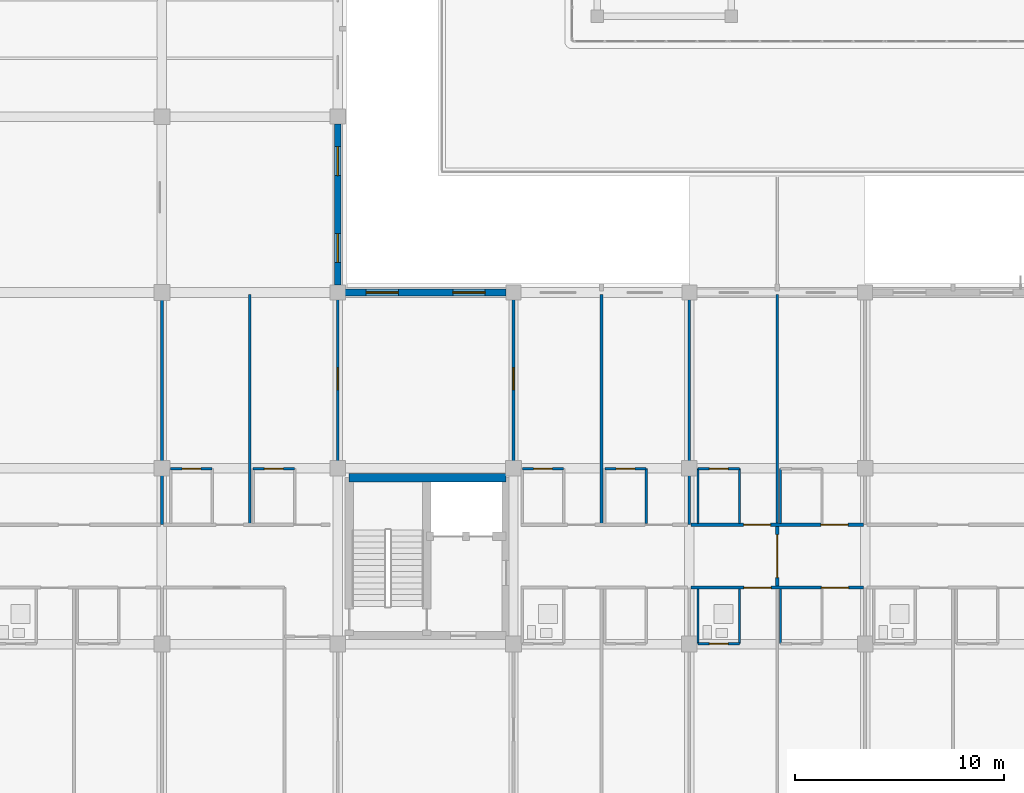
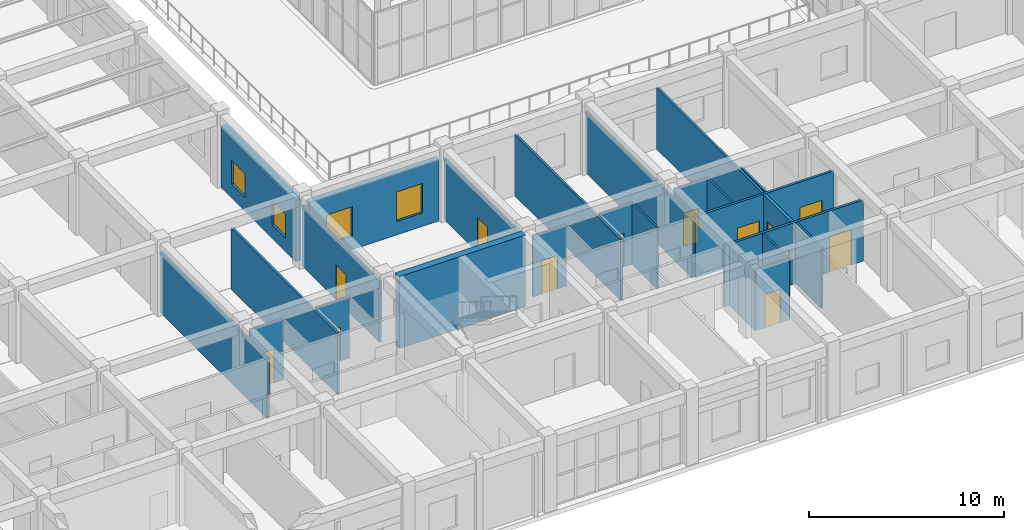
# One storey, part 117 of 158: 26 walls, 13 doors, 4 windows, 17 openings.
"""IFC4 building model written with IfcOpenShell, lengths in metres."""

from ifc_helpers import new_model, si_unit, direction, frame, frame_2d, origin, place, context, subcontext, project, spatial, rectangle, extrude, material, layer, layer_set, type_object, element, fill, save


model = new_model("IFC4")

# Units and contexts
model_context = context("Model", 3, precision=1e-05, world=origin(), true_north=direction((0.0, 1.0)))
body_context = subcontext(model_context, "Body", "Model", "MODEL_VIEW")
ifc_project = project(units=[si_unit("LENGTHUNIT", "METRE"), si_unit("AREAUNIT", "SQUARE_METRE"), si_unit("VOLUMEUNIT", "CUBIC_METRE"), si_unit("PLANEANGLEUNIT", "RADIAN"), si_unit("MASSUNIT", "GRAM", prefix="KILO")], contexts=[model_context])

# Site, building, storey
site_placement = place(None, origin())
site = spatial("IfcSite", under=ifc_project, at=site_placement, CompositionType="ELEMENT")
building_placement = place(site_placement, origin())
building = spatial("IfcBuilding", under=site, at=building_placement, Name="Trelvath General Hospital", CompositionType="ELEMENT")
storey_placement = place(building_placement, frame((0.0, 0.0, 8.10009765625)))
storey = spatial("IfcBuildingStorey", under=building, at=storey_placement, Name="L02", CompositionType="ELEMENT", Elevation=8.10009765625)

# Wall, openings, doors
ifc_material_1 = material(Name="Gypsum acoustic steel-stud partition", Category="steel")
ifc_layer_1 = layer(ifc_material_1, 0.14990234375)
ifc_layer_set_1 = layer_set([ifc_layer_1], Name="Gypsum acoustic steel-stud partition")
wall_type_1 = type_object("IfcWallType", Name="ClinicalPartition 150", PredefinedType="PARTITIONING", material=ifc_layer_set_1)
wall_1_placement = place(storey_placement, frame((58.8798828125, 11.10009765625, 0.0), z_axis=(0.0, 0.0, 1.0), x_axis=(1.0, 0.0, 0.0)))
wall_1 = element("IfcWall", 1, at=wall_1_placement, inside=storey, type_object=wall_type_1, Name="Corridor Partition L02-738", PredefinedType="PARTITIONING", context=body_context, shape_type="SweptSolid", body=[
    extrude(rectangle(XDim=8.240234375, YDim=0.14990234375, at=frame_2d((4.1201171875, 0.0))), origin(), (0.0, 0.0, 1.0), 3.83984375),
])
opening_1_placement = place(wall_1_placement, frame((2.530029296875, 0.0, 0.0)))
opening_1 = element("IfcOpeningElement", 2, at=opening_1_placement, cuts=wall_1, Name="Opening D-2-0657", PredefinedType="OPENING", context=body_context, shape_type="SweptSolid", body=[
    extrude(rectangle(XDim=1.300048828125, YDim=2.25, at=frame_2d((0.64990234375, 1.125))), frame((0.0, 0.0849609375, 0.0), z_axis=(0.0, -1.0, 0.0), x_axis=(1.0, 0.0, 0.0)), (0.0, 0.0, 1.0), 0.169921875),
])
opening_2_placement = place(wall_1_placement, frame((6.22998046875, 0.0, 0.0)))
opening_2 = element("IfcOpeningElement", 3, at=opening_2_placement, cuts=wall_1, Name="Opening D-2-0658", PredefinedType="OPENING", context=body_context, shape_type="SweptSolid", body=[
    extrude(rectangle(XDim=1.300048828125, YDim=2.25, at=frame_2d((0.64990234375, 1.125))), frame((0.0, 0.0849609375, 0.0), z_axis=(0.0, -1.0, 0.0), x_axis=(1.0, 0.0, 0.0)), (0.0, 0.0, 1.0), 0.169921875),
])
ifc_material_2 = material(Name="Hospital bed-leaf timber door", Category="wood")
door_type_1 = type_object("IfcDoorType", Name="Door PatientBed 1300x2250", OperationType="NOTDEFINED", PredefinedType="DOOR", material=ifc_material_2)
door_1_placement = place(opening_1_placement, origin())
door_1 = element("IfcDoor", 4, at=door_1_placement, inside=storey, type_object=door_type_1, Name="Patient Room Door L02-657", OperationType="SINGLE_SWING_LEFT", OverallHeight=2.25, OverallWidth=1.300048828125, PredefinedType="DOOR", context=body_context, shape_type="SweptSolid", body=[
    extrude(rectangle(XDim=1.300048828125, YDim=2.25, at=frame_2d((0.64990234375, 1.125))), frame((0.0, 0.02490234375, 0.0), z_axis=(0.0, -1.0, 0.0), x_axis=(1.0, 0.0, 0.0)), (0.0, 0.0, 1.0), 0.050048828125),
])
fill(opening_1, door_1)
door_2_placement = place(opening_2_placement, origin())
door_2 = element("IfcDoor", 5, at=door_2_placement, inside=storey, type_object=door_type_1, Name="Patient Room Door L02-658", OperationType="SINGLE_SWING_RIGHT", OverallHeight=2.25, OverallWidth=1.300048828125, PredefinedType="DOOR", context=body_context, shape_type="SweptSolid", body=[
    extrude(rectangle(XDim=1.300048828125, YDim=2.25, at=frame_2d((0.64990234375, 1.125))), frame((0.0, 0.02490234375, 0.0), z_axis=(0.0, -1.0, 0.0), x_axis=(1.0, 0.0, 0.0)), (0.0, 0.0, 1.0), 0.050048828125),
])
fill(opening_2, door_2)

wall_2_placement = place(storey_placement, frame((67.1201171875, 14.10009765625, 0.0), z_axis=(0.0, 0.0, 1.0), x_axis=(-1.0, 0.0, 0.0)))
wall_2 = element("IfcWall", 6, at=wall_2_placement, inside=storey, type_object=wall_type_1, Name="Corridor Partition N L02-746", PredefinedType="PARTITIONING", context=body_context, shape_type="SweptSolid", body=[
    extrude(rectangle(XDim=8.240234375, YDim=0.14990234375, at=frame_2d((4.1201171875, 0.0))), origin(), (0.0, 0.0, 1.0), 3.83984375),
])
opening_3_placement = place(wall_2_placement, frame((0.72998046875, 0.0, 0.0)))
opening_3 = element("IfcOpeningElement", 7, at=opening_3_placement, cuts=wall_2, Name="Opening D-2-0661", PredefinedType="OPENING", context=body_context, shape_type="SweptSolid", body=[
    extrude(rectangle(XDim=1.300048828125, YDim=2.25, at=frame_2d((0.64990234375, 1.125))), frame((0.0, 0.0849609375, 0.0), z_axis=(0.0, -1.0, 0.0), x_axis=(1.0, 0.0, 0.0)), (0.0, 0.0, 1.0), 0.169921875),
])
opening_4_placement = place(wall_2_placement, frame((4.429931640625, 0.0, 0.0)))
opening_4 = element("IfcOpeningElement", 8, at=opening_4_placement, cuts=wall_2, Name="Opening D-2-0662", PredefinedType="OPENING", context=body_context, shape_type="SweptSolid", body=[
    extrude(rectangle(XDim=1.300048828125, YDim=2.25, at=frame_2d((0.64990234375, 1.125))), frame((0.0, 0.0849609375, 0.0), z_axis=(0.0, -1.0, 0.0), x_axis=(1.0, 0.0, 0.0)), (0.0, 0.0, 1.0), 0.169921875),
])
door_3_placement = place(opening_3_placement, origin())
door_3 = element("IfcDoor", 9, at=door_3_placement, inside=storey, type_object=door_type_1, Name="Patient Room Door N L02-661", OperationType="SINGLE_SWING_LEFT", OverallHeight=2.25, OverallWidth=1.300048828125, PredefinedType="DOOR", context=body_context, shape_type="SweptSolid", body=[
    extrude(rectangle(XDim=1.300048828125, YDim=2.25, at=frame_2d((0.64990234375, 1.125))), frame((0.0, 0.02490234375, 0.0), z_axis=(0.0, -1.0, 0.0), x_axis=(1.0, 0.0, 0.0)), (0.0, 0.0, 1.0), 0.050048828125),
])
fill(opening_3, door_3)
door_4_placement = place(opening_4_placement, origin())
door_4 = element("IfcDoor", 10, at=door_4_placement, inside=storey, type_object=door_type_1, Name="Patient Room Door N L02-662", OperationType="SINGLE_SWING_LEFT", OverallHeight=2.25, OverallWidth=1.300048828125, PredefinedType="DOOR", context=body_context, shape_type="SweptSolid", body=[
    extrude(rectangle(XDim=1.300048828125, YDim=2.25, at=frame_2d((0.64990234375, 1.125))), frame((0.0, 0.02490234375, 0.0), z_axis=(0.0, -1.0, 0.0), x_axis=(1.0, 0.0, 0.0)), (0.0, 0.0, 1.0), 0.050048828125),
])
fill(opening_4, door_4)

# Wall
ifc_material_3 = material(Name="Concrete C40/50", Category="concrete")
ifc_layer_2 = layer(ifc_material_3, 0.39990234375)
ifc_layer_set_2 = layer_set([ifc_layer_2], Name="Concrete C40/50")
wall_type_2 = type_object("IfcWallType", Name="CoreShearWall 400", PredefinedType="SHEAR", material=ifc_layer_set_2)
wall_3_placement = place(storey_placement, frame((42.550048828125, 16.35009765625, 0.0), z_axis=(0.0, 0.0, 1.0), x_axis=(1.0, 0.0, 0.0)))
element("IfcWall", 11, at=wall_3_placement, inside=storey, type_object=wall_type_2, Name="Core Shear Wall C4 N L02", PredefinedType="SHEAR", context=body_context, shape_type="SweptSolid", body=[
    extrude(rectangle(XDim=7.5, YDim=0.39990234375, at=frame_2d((3.75, 0.0))), origin(), (0.0, 0.0, 1.0), 4.52001953125),
])

# Wall, opening, door
ifc_material_4 = material(Name="Moisture-resistant tile partition")
ifc_layer_3 = layer(ifc_material_4, 0.110107421875)
ifc_layer_set_3 = layer_set([ifc_layer_3], Name="Moisture-resistant tile partition")
wall_type_3 = type_object("IfcWallType", Name="EnSuiteWetWall 110", PredefinedType="PARTITIONING", material=ifc_layer_set_3)
wall_4_placement = place(storey_placement, frame((34.02001953125, 16.780029296875, 0.0), z_axis=(0.0, 0.0, 1.0), x_axis=(1.0, 0.0, 0.0)))
wall_4 = element("IfcWall", 12, at=wall_4_placement, inside=storey, type_object=wall_type_3, Name="En-Suite Bathroom N Partition L02-711", PredefinedType="PARTITIONING", context=body_context, shape_type="SweptSolid", body=[
    extrude(rectangle(XDim=1.97998046875, YDim=0.110107421875, at=frame_2d((0.989990234375, 0.0))), origin(), (0.0, 0.0, 1.0), 3.83984375),
])
opening_5_placement = place(wall_4_placement, frame((0.5400390625, 0.0, 0.0)))
opening_5 = element("IfcOpeningElement", 13, at=opening_5_placement, cuts=wall_4, Name="Opening D-2-0643", PredefinedType="OPENING", context=body_context, shape_type="SweptSolid", body=[
    extrude(rectangle(XDim=0.89990234375, YDim=2.10009765625, at=frame_2d((0.449951171875, 1.050048828125))), frame((0.0, 0.06494140625, 0.0), z_axis=(0.0, -1.0, 0.0), x_axis=(1.0, 0.0, 0.0)), (0.0, 0.0, 1.0), 0.130126953125),
])
ifc_material_5 = material(Name="Moisture-sealed timber leaf", Category="wood")
door_type_2 = type_object("IfcDoorType", Name="Door EnSuite 900x2100", OperationType="NOTDEFINED", PredefinedType="DOOR", material=ifc_material_5)
door_5_placement = place(opening_5_placement, origin())
door_5 = element("IfcDoor", 14, at=door_5_placement, inside=storey, type_object=door_type_2, Name="En-Suite Bathroom N Door L02-643", OperationType="SINGLE_SWING_RIGHT", OverallHeight=2.10009765625, OverallWidth=0.89990234375, PredefinedType="DOOR", context=body_context, shape_type="SweptSolid", body=[
    extrude(rectangle(XDim=0.89990234375, YDim=2.10009765625, at=frame_2d((0.449951171875, 1.050048828125))), frame((0.0, 0.02490234375, 0.0), z_axis=(0.0, -1.0, 0.0), x_axis=(1.0, 0.0, 0.0)), (0.0, 0.0, 1.0), 0.050048828125),
])
fill(opening_5, door_5)

wall_5_placement = place(storey_placement, frame((37.9599609375, 16.780029296875, 0.0), z_axis=(0.0, 0.0, 1.0), x_axis=(1.0, 0.0, 0.0)))
wall_5 = element("IfcWall", 15, at=wall_5_placement, inside=storey, type_object=wall_type_3, Name="En-Suite Bathroom N Partition L02-714", PredefinedType="PARTITIONING", context=body_context, shape_type="SweptSolid", body=[
    extrude(rectangle(XDim=1.97998046875, YDim=0.110107421875, at=frame_2d((0.989990234375, 0.0))), origin(), (0.0, 0.0, 1.0), 3.83984375),
])
opening_6_placement = place(wall_5_placement, frame((0.5400390625, 0.0, 0.0)))
opening_6 = element("IfcOpeningElement", 16, at=opening_6_placement, cuts=wall_5, Name="Opening D-2-0644", PredefinedType="OPENING", context=body_context, shape_type="SweptSolid", body=[
    extrude(rectangle(XDim=0.89990234375, YDim=2.10009765625, at=frame_2d((0.449951171875, 1.050048828125))), frame((0.0, 0.06494140625, 0.0), z_axis=(0.0, -1.0, 0.0), x_axis=(1.0, 0.0, 0.0)), (0.0, 0.0, 1.0), 0.130126953125),
])
door_6_placement = place(opening_6_placement, origin())
door_6 = element("IfcDoor", 17, at=door_6_placement, inside=storey, type_object=door_type_2, Name="En-Suite Bathroom N Door L02-644", OperationType="SINGLE_SWING_LEFT", OverallHeight=2.10009765625, OverallWidth=0.89990234375, PredefinedType="DOOR", context=body_context, shape_type="SweptSolid", body=[
    extrude(rectangle(XDim=0.89990234375, YDim=2.10009765625, at=frame_2d((0.449951171875, 1.050048828125))), frame((0.0, 0.02490234375, 0.0), z_axis=(0.0, -1.0, 0.0), x_axis=(1.0, 0.0, 0.0)), (0.0, 0.0, 1.0), 0.050048828125),
])
fill(opening_6, door_6)

wall_6_placement = place(storey_placement, frame((50.820068359375, 16.780029296875, 0.0), z_axis=(0.0, 0.0, 1.0), x_axis=(1.0, 0.0, 0.0)))
wall_6 = element("IfcWall", 18, at=wall_6_placement, inside=storey, type_object=wall_type_3, Name="En-Suite Bathroom N Partition L02-732", PredefinedType="PARTITIONING", context=body_context, shape_type="SweptSolid", body=[
    extrude(rectangle(XDim=1.97998046875, YDim=0.110107421875, at=frame_2d((0.989990234375, 0.0))), origin(), (0.0, 0.0, 1.0), 3.83984375),
])
opening_7_placement = place(wall_6_placement, frame((0.5400390625, 0.0, 0.0)))
opening_7 = element("IfcOpeningElement", 19, at=opening_7_placement, cuts=wall_6, Name="Opening D-2-0655", PredefinedType="OPENING", context=body_context, shape_type="SweptSolid", body=[
    extrude(rectangle(XDim=0.89990234375, YDim=2.10009765625, at=frame_2d((0.449951171875, 1.050048828125))), frame((0.0, 0.06494140625, 0.0), z_axis=(0.0, -1.0, 0.0), x_axis=(1.0, 0.0, 0.0)), (0.0, 0.0, 1.0), 0.130126953125),
])
door_7_placement = place(opening_7_placement, origin())
door_7 = element("IfcDoor", 20, at=door_7_placement, inside=storey, type_object=door_type_2, Name="En-Suite Bathroom N Door L02-655", OperationType="SINGLE_SWING_LEFT", OverallHeight=2.10009765625, OverallWidth=0.89990234375, PredefinedType="DOOR", context=body_context, shape_type="SweptSolid", body=[
    extrude(rectangle(XDim=0.89990234375, YDim=2.10009765625, at=frame_2d((0.449951171875, 1.050048828125))), frame((0.0, 0.02490234375, 0.0), z_axis=(0.0, -1.0, 0.0), x_axis=(1.0, 0.0, 0.0)), (0.0, 0.0, 1.0), 0.050048828125),
])
fill(opening_7, door_7)

# Wall
wall_7_placement = place(storey_placement, frame((56.739990234375, 14.169921875, 0.0), z_axis=(0.0, 0.0, 1.0), x_axis=(0.0, 1.0, 0.0)))
element("IfcWall", 21, at=wall_7_placement, inside=storey, type_object=wall_type_3, Name="En-Suite E Wall N L02-734", PredefinedType="PARTITIONING", context=body_context, shape_type="SweptSolid", body=[
    extrude(rectangle(XDim=2.610107421875, YDim=0.110107421875, at=frame_2d((1.30517578125, 0.0))), origin(), (0.0, 0.0, 1.0), 3.83984375),
])

# Wall, opening, door
wall_8_placement = place(storey_placement, frame((54.760009765625, 16.780029296875, 0.0), z_axis=(0.0, 0.0, 1.0), x_axis=(1.0, 0.0, 0.0)))
wall_8 = element("IfcWall", 22, at=wall_8_placement, inside=storey, type_object=wall_type_3, Name="En-Suite Bathroom N Partition L02-735", PredefinedType="PARTITIONING", context=body_context, shape_type="SweptSolid", body=[
    extrude(rectangle(XDim=1.97998046875, YDim=0.110107421875, at=frame_2d((0.989990234375, 0.0))), origin(), (0.0, 0.0, 1.0), 3.83984375),
])
opening_8_placement = place(wall_8_placement, frame((0.5400390625, 0.0, 0.0)))
opening_8 = element("IfcOpeningElement", 23, at=opening_8_placement, cuts=wall_8, Name="Opening D-2-0656", PredefinedType="OPENING", context=body_context, shape_type="SweptSolid", body=[
    extrude(rectangle(XDim=0.89990234375, YDim=2.10009765625, at=frame_2d((0.449951171875, 1.050048828125))), frame((0.0, 0.06494140625, 0.0), z_axis=(0.0, -1.0, 0.0), x_axis=(1.0, 0.0, 0.0)), (0.0, 0.0, 1.0), 0.130126953125),
])
door_8_placement = place(opening_8_placement, origin())
door_8 = element("IfcDoor", 24, at=door_8_placement, inside=storey, type_object=door_type_2, Name="En-Suite Bathroom N Door L02-656", OperationType="SINGLE_SWING_RIGHT", OverallHeight=2.10009765625, OverallWidth=0.89990234375, PredefinedType="DOOR", context=body_context, shape_type="SweptSolid", body=[
    extrude(rectangle(XDim=0.89990234375, YDim=2.10009765625, at=frame_2d((0.449951171875, 1.050048828125))), frame((0.0, 0.02490234375, 0.0), z_axis=(0.0, -1.0, 0.0), x_axis=(1.0, 0.0, 0.0)), (0.0, 0.0, 1.0), 0.050048828125),
])
fill(opening_8, door_8)

# Walls
for number, where, z_axis, x_axis, name in (
    (25, (59.219970703125, 8.419921875, 0.0), (0.0, 0.0, 1.0), (0.0, 1.0, 0.0), "En-Suite W Wall L02-740"),
    (26, (61.199951171875, 8.419921875, 0.0), (0.0, 0.0, 1.0), (0.0, 1.0, 0.0), "En-Suite E Wall L02-741"),
):
    element("IfcWall", number, at=place(storey_placement, frame(where, z_axis=z_axis, x_axis=x_axis)), inside=storey, type_object=wall_type_3, Name=name, PredefinedType="PARTITIONING", context=body_context, shape_type="SweptSolid", body=[
        extrude(rectangle(XDim=2.610107421875, YDim=0.110107421875, at=frame_2d((1.30517578125, 0.0))), origin(), (0.0, 0.0, 1.0), 3.83984375),
    ])

# Wall, opening, door
wall_9_placement = place(storey_placement, frame((59.219970703125, 8.419921875, 0.0), z_axis=(0.0, 0.0, 1.0), x_axis=(1.0, 0.0, 0.0)))
wall_9 = element("IfcWall", 27, at=wall_9_placement, inside=storey, type_object=wall_type_3, Name="En-Suite Bathroom Partition L02-742", PredefinedType="PARTITIONING", context=body_context, shape_type="SweptSolid", body=[
    extrude(rectangle(XDim=1.97998046875, YDim=0.110107421875, at=frame_2d((0.989990234375, 0.0))), origin(), (0.0, 0.0, 1.0), 3.83984375),
])
opening_9_placement = place(wall_9_placement, frame((0.5400390625, 0.0, 0.0)))
opening_9 = element("IfcOpeningElement", 28, at=opening_9_placement, cuts=wall_9, Name="Opening D-2-0659", PredefinedType="OPENING", context=body_context, shape_type="SweptSolid", body=[
    extrude(rectangle(XDim=0.89990234375, YDim=2.10009765625, at=frame_2d((0.449951171875, 1.050048828125))), frame((0.0, 0.06494140625, 0.0), z_axis=(0.0, -1.0, 0.0), x_axis=(1.0, 0.0, 0.0)), (0.0, 0.0, 1.0), 0.130126953125),
])
door_9_placement = place(opening_9_placement, origin())
door_9 = element("IfcDoor", 29, at=door_9_placement, inside=storey, type_object=door_type_2, Name="En-Suite Bathroom Door L02-659", OperationType="SINGLE_SWING_LEFT", OverallHeight=2.10009765625, OverallWidth=0.89990234375, PredefinedType="DOOR", context=body_context, shape_type="SweptSolid", body=[
    extrude(rectangle(XDim=0.89990234375, YDim=2.10009765625, at=frame_2d((0.449951171875, 1.050048828125))), frame((0.0, 0.02490234375, 0.0), z_axis=(0.0, -1.0, 0.0), x_axis=(1.0, 0.0, 0.0)), (0.0, 0.0, 1.0), 0.050048828125),
])
fill(opening_9, door_9)

# Walls
for number, where, z_axis, x_axis, name in (
    (30, (63.159912109375, 8.419921875, 0.0), (0.0, 0.0, 1.0), (0.0, 1.0, 0.0), "En-Suite W Wall L02-743"),
    (31, (59.219970703125, 14.169921875, 0.0), (0.0, 0.0, 1.0), (0.0, 1.0, 0.0), "En-Suite W Wall N L02-748"),
    (32, (61.199951171875, 14.169921875, 0.0), (0.0, 0.0, 1.0), (0.0, 1.0, 0.0), "En-Suite E Wall N L02-749"),
):
    element("IfcWall", number, at=place(storey_placement, frame(where, z_axis=z_axis, x_axis=x_axis)), inside=storey, type_object=wall_type_3, Name=name, PredefinedType="PARTITIONING", context=body_context, shape_type="SweptSolid", body=[
        extrude(rectangle(XDim=2.610107421875, YDim=0.110107421875, at=frame_2d((1.30517578125, 0.0))), origin(), (0.0, 0.0, 1.0), 3.83984375),
    ])

# Wall, opening, door
wall_10_placement = place(storey_placement, frame((59.219970703125, 16.780029296875, 0.0), z_axis=(0.0, 0.0, 1.0), x_axis=(1.0, 0.0, 0.0)))
wall_10 = element("IfcWall", 33, at=wall_10_placement, inside=storey, type_object=wall_type_3, Name="En-Suite Bathroom N Partition L02-750", PredefinedType="PARTITIONING", context=body_context, shape_type="SweptSolid", body=[
    extrude(rectangle(XDim=1.97998046875, YDim=0.110107421875, at=frame_2d((0.989990234375, 0.0))), origin(), (0.0, 0.0, 1.0), 3.83984375),
])
opening_10_placement = place(wall_10_placement, frame((0.5400390625, 0.0, 0.0)))
opening_10 = element("IfcOpeningElement", 34, at=opening_10_placement, cuts=wall_10, Name="Opening D-2-0663", PredefinedType="OPENING", context=body_context, shape_type="SweptSolid", body=[
    extrude(rectangle(XDim=0.89990234375, YDim=2.10009765625, at=frame_2d((0.449951171875, 1.050048828125))), frame((0.0, 0.06494140625, 0.0), z_axis=(0.0, -1.0, 0.0), x_axis=(1.0, 0.0, 0.0)), (0.0, 0.0, 1.0), 0.130126953125),
])
door_10_placement = place(opening_10_placement, origin())
door_10 = element("IfcDoor", 35, at=door_10_placement, inside=storey, type_object=door_type_2, Name="En-Suite Bathroom N Door L02-663", OperationType="SINGLE_SWING_RIGHT", OverallHeight=2.10009765625, OverallWidth=0.89990234375, PredefinedType="DOOR", context=body_context, shape_type="SweptSolid", body=[
    extrude(rectangle(XDim=0.89990234375, YDim=2.10009765625, at=frame_2d((0.449951171875, 1.050048828125))), frame((0.0, 0.02490234375, 0.0), z_axis=(0.0, -1.0, 0.0), x_axis=(1.0, 0.0, 0.0)), (0.0, 0.0, 1.0), 0.050048828125),
])
fill(opening_10, door_10)

# Wall
wall_11_placement = place(storey_placement, frame((63.159912109375, 14.169921875, 0.0), z_axis=(0.0, 0.0, 1.0), x_axis=(0.0, 1.0, 0.0)))
element("IfcWall", 36, at=wall_11_placement, inside=storey, type_object=wall_type_3, Name="En-Suite W Wall N L02-751", PredefinedType="PARTITIONING", context=body_context, shape_type="SweptSolid", body=[
    extrude(rectangle(XDim=2.610107421875, YDim=0.110107421875, at=frame_2d((1.30517578125, 0.0))), origin(), (0.0, 0.0, 1.0), 3.83984375),
])

# Wall, openings, windows
ifc_material_6 = material(Name="Concrete C35/45", Category="concrete")
ifc_layer_4 = layer(ifc_material_6, 0.320068359375)
ifc_layer_set_4 = layer_set([ifc_layer_4], Name="Concrete C35/45")
wall_type_4 = type_object("IfcWallType", Name="ExtThermalWall 320", PredefinedType="SOLIDWALL", material=ifc_layer_set_4)
wall_12_placement = place(storey_placement, frame((42.0, 33.2451171875, 0.0), z_axis=(0.0, 0.0, 1.0), x_axis=(0.0, -1.0, 0.0)))
wall_12 = element("IfcWall", 37, at=wall_12_placement, inside=storey, type_object=wall_type_4, Name="Exterior Concrete Wall L02-243", PredefinedType="SOLIDWALL", context=body_context, shape_type="SweptSolid", body=[
    extrude(rectangle(XDim=7.690185546875, YDim=0.320068359375, at=frame_2d((3.84521484375, 0.0))), origin(), (0.0, 0.0, 1.0), 3.85986328125),
])
opening_11_placement = place(wall_12_placement, frame((1.07861328125, 0.0, 0.85009765625)))
opening_11 = element("IfcOpeningElement", 38, at=opening_11_placement, cuts=wall_12, Name="Opening WN-2-383", PredefinedType="OPENING", context=body_context, shape_type="SweptSolid", body=[
    extrude(rectangle(XDim=1.3798828125, YDim=1.5, at=frame_2d((0.68994140625, 0.75))), frame((0.0, 0.169921875, 0.0), z_axis=(0.0, -1.0, 0.0), x_axis=(1.0, 0.0, 0.0)), (0.0, 0.0, 1.0), 0.340087890625),
])
opening_12_placement = place(wall_12_placement, frame((5.231201171875, 0.0, 0.85009765625)))
opening_12 = element("IfcOpeningElement", 39, at=opening_12_placement, cuts=wall_12, Name="Opening WN-2-384", PredefinedType="OPENING", context=body_context, shape_type="SweptSolid", body=[
    extrude(rectangle(XDim=1.3798828125, YDim=1.5, at=frame_2d((0.68994140625, 0.75))), frame((0.0, 0.169921875, 0.0), z_axis=(0.0, -1.0, 0.0), x_axis=(1.0, 0.0, 0.0)), (0.0, 0.0, 1.0), 0.340087890625),
])
ifc_material_7 = material(Name="Low-E laminated glass", Category="glass")
window_type_1 = type_object("IfcWindowType", Name="Window Admin 1380x1500", PartitioningType="SINGLE_PANEL", PredefinedType="WINDOW", material=ifc_material_7)
window_1_placement = place(opening_11_placement, origin())
window_1 = element("IfcWindow", 40, at=window_1_placement, inside=storey, type_object=window_type_1, Name="Solar Reveal Window L02-383", OverallHeight=1.5, OverallWidth=1.3798828125, PartitioningType="SINGLE_PANEL", PredefinedType="WINDOW", context=body_context, shape_type="SweptSolid", body=[
    extrude(rectangle(XDim=1.3798828125, YDim=1.5, at=frame_2d((0.68994140625, 0.75))), frame((0.0, 0.030029296875, 0.0), z_axis=(0.0, -1.0, 0.0), x_axis=(1.0, 0.0, 0.0)), (0.0, 0.0, 1.0), 0.06005859375),
])
fill(opening_11, window_1)
window_2_placement = place(opening_12_placement, origin())
window_2 = element("IfcWindow", 41, at=window_2_placement, inside=storey, type_object=window_type_1, Name="Solar Reveal Window L02-384", OverallHeight=1.5, OverallWidth=1.3798828125, PartitioningType="SINGLE_PANEL", PredefinedType="WINDOW", context=body_context, shape_type="SweptSolid", body=[
    extrude(rectangle(XDim=1.3798828125, YDim=1.5, at=frame_2d((0.68994140625, 0.75))), frame((0.0, 0.030029296875, 0.0), z_axis=(0.0, -1.0, 0.0), x_axis=(1.0, 0.0, 0.0)), (0.0, 0.0, 1.0), 0.06005859375),
])
fill(opening_12, window_2)

wall_13_placement = place(storey_placement, frame((42.35498046875, 25.199951171875, 0.0), z_axis=(0.0, 0.0, 1.0), x_axis=(1.0, 0.0, 0.0)))
wall_13 = element("IfcWall", 42, at=wall_13_placement, inside=storey, type_object=wall_type_4, Name="Exterior Concrete Wall L02-252", PredefinedType="SOLIDWALL", context=body_context, shape_type="SweptSolid", body=[
    extrude(rectangle(XDim=7.68994140625, YDim=0.320068359375, at=frame_2d((3.844970703125, 0.0))), origin(), (0.0, 0.0, 1.0), 3.85986328125),
])
opening_13_placement = place(wall_13_placement, frame((0.998779296875, 0.0, 0.85009765625)))
opening_13 = element("IfcOpeningElement", 43, at=opening_13_placement, cuts=wall_13, Name="Opening WN-2-401", PredefinedType="OPENING", context=body_context, shape_type="SweptSolid", body=[
    extrude(rectangle(XDim=1.5400390625, YDim=1.85009765625, at=frame_2d((0.77001953125, 0.925048828125))), frame((0.0, 0.169921875, 0.0), z_axis=(0.0, -1.0, 0.0), x_axis=(1.0, 0.0, 0.0)), (0.0, 0.0, 1.0), 0.340087890625),
])
opening_14_placement = place(wall_13_placement, frame((5.1513671875, 0.0, 0.85009765625)))
opening_14 = element("IfcOpeningElement", 44, at=opening_14_placement, cuts=wall_13, Name="Opening WN-2-402", PredefinedType="OPENING", context=body_context, shape_type="SweptSolid", body=[
    extrude(rectangle(XDim=1.5400390625, YDim=1.85009765625, at=frame_2d((0.77001953125, 0.925048828125))), frame((0.0, 0.169921875, 0.0), z_axis=(0.0, -1.0, 0.0), x_axis=(1.0, 0.0, 0.0)), (0.0, 0.0, 1.0), 0.340087890625),
])
ifc_material_8 = material(Name="Low-E laminated glass", Category="glass")
window_type_2 = type_object("IfcWindowType", Name="Window Waiting 1540x1850", PartitioningType="DOUBLE_PANEL_VERTICAL", PredefinedType="WINDOW", material=ifc_material_8)
window_3_placement = place(opening_13_placement, origin())
window_3 = element("IfcWindow", 45, at=window_3_placement, inside=storey, type_object=window_type_2, Name="Solar Reveal Window L02-401", OverallHeight=1.85009765625, OverallWidth=1.5400390625, PartitioningType="SINGLE_PANEL", PredefinedType="WINDOW", context=body_context, shape_type="SweptSolid", body=[
    extrude(rectangle(XDim=1.5400390625, YDim=1.85009765625, at=frame_2d((0.77001953125, 0.925048828125))), frame((0.0, 0.030029296875, 0.0), z_axis=(0.0, -1.0, 0.0), x_axis=(1.0, 0.0, 0.0)), (0.0, 0.0, 1.0), 0.06005859375),
])
fill(opening_13, window_3)
window_4_placement = place(opening_14_placement, origin())
window_4 = element("IfcWindow", 46, at=window_4_placement, inside=storey, type_object=window_type_2, Name="Solar Reveal Window L02-402", OverallHeight=1.85009765625, OverallWidth=1.5400390625, PartitioningType="SINGLE_PANEL", PredefinedType="WINDOW", context=body_context, shape_type="SweptSolid", body=[
    extrude(rectangle(XDim=1.5400390625, YDim=1.85009765625, at=frame_2d((0.77001953125, 0.925048828125))), frame((0.0, 0.030029296875, 0.0), z_axis=(0.0, -1.0, 0.0), x_axis=(1.0, 0.0, 0.0)), (0.0, 0.0, 1.0), 0.06005859375),
])
fill(opening_14, window_4)

# Wall, opening, door
ifc_material_9 = material(Name="Masonry fire blockwork", Category="masonry")
ifc_layer_5 = layer(ifc_material_9, 0.179931640625)
ifc_layer_set_5 = layer_set([ifc_layer_5], Name="Masonry fire blockwork")
wall_type_5 = type_object("IfcWallType", Name="SmokeBarrierWall 180", PredefinedType="PARTITIONING", material=ifc_layer_set_5)
wall_14_placement = place(storey_placement, frame((63.0, 11.179931640625, 0.0), z_axis=(0.0, 0.0, 1.0), x_axis=(0.0, 1.0, 0.0)))
wall_14 = element("IfcWall", 47, at=wall_14_placement, inside=storey, type_object=wall_type_5, Name="Smoke Compartment Barrier L02-754", PredefinedType="PARTITIONING", context=body_context, shape_type="SweptSolid", body=[
    extrude(rectangle(XDim=2.840087890625, YDim=0.179931640625, at=frame_2d((1.419921875, 0.0))), origin(), (0.0, 0.0, 1.0), 3.83984375),
])
opening_15_placement = place(wall_14_placement, frame((0.39501953125, 0.0, 0.0)))
opening_15 = element("IfcOpeningElement", 48, at=opening_15_placement, cuts=wall_14, Name="Opening SD-2-0665", PredefinedType="OPENING", context=body_context, shape_type="SweptSolid", body=[
    extrude(rectangle(XDim=2.050048828125, YDim=2.35009765625, at=frame_2d((1.02490234375, 1.175048828125))), frame((0.0, 0.099853515625, 0.0), z_axis=(0.0, -1.0, 0.0), x_axis=(1.0, 0.0, 0.0)), (0.0, 0.0, 1.0), 0.199951171875),
])
ifc_material_10 = material(Name="Fire-rated steel cross-corridor pair", Category="steel")
door_type_3 = type_object("IfcDoorType", Name="Door SmokeCross 2050x2350", OperationType="DOUBLE_SWING_LEFT", PredefinedType="DOOR", material=ifc_material_10)
door_11_placement = place(opening_15_placement, origin())
door_11 = element("IfcDoor", 49, at=door_11_placement, inside=storey, type_object=door_type_3, Name="Cross-Corridor Smoke Door L02-665", OperationType="SLIDING_TO_LEFT", OverallHeight=2.35009765625, OverallWidth=2.050048828125, PredefinedType="DOOR", context=body_context, shape_type="SweptSolid", body=[
    extrude(rectangle(XDim=2.050048828125, YDim=2.35009765625, at=frame_2d((1.02490234375, 1.175048828125))), frame((0.0, 0.02490234375, 0.0), z_axis=(0.0, -1.0, 0.0), x_axis=(1.0, 0.0, 0.0)), (0.0, 0.0, 1.0), 0.050048828125),
])
fill(opening_15, door_11)

# Walls
ifc_material_11 = material(Name="Gypsum acoustic steel-stud partition", Category="steel")
ifc_layer_6 = layer(ifc_material_11, 0.1298828125)
ifc_layer_set_6 = layer_set([ifc_layer_6], Name="Gypsum acoustic steel-stud partition")
wall_type_6 = type_object("IfcWallType", Name="WardPartition 130", PredefinedType="PARTITIONING", material=ifc_layer_set_6)
wall_15_placement = place(storey_placement, frame((33.60009765625, 14.1201171875, 0.0), z_axis=(0.0, 0.0, 1.0), x_axis=(0.0, 1.0, 0.0)))
element("IfcWall", 50, at=wall_15_placement, inside=storey, type_object=wall_type_6, Name="Inter-Bay Ward Partition N L02-703", PredefinedType="PARTITIONING", context=body_context, shape_type="SweptSolid", body=[
    extrude(rectangle(XDim=10.93994140625, YDim=0.1298828125, at=frame_2d((5.469970703125, 0.0))), origin(), (0.0, 0.0, 1.0), 3.83984375),
])
wall_16_placement = place(storey_placement, frame((37.800048828125, 14.169921875, 0.0), z_axis=(0.0, 0.0, 1.0), x_axis=(0.0, 1.0, 0.0)))
element("IfcWall", 51, at=wall_16_placement, inside=storey, type_object=wall_type_6, Name="Room Dividing Partition N L02-708", PredefinedType="PARTITIONING", context=body_context, shape_type="SweptSolid", body=[
    extrude(rectangle(XDim=10.93017578125, YDim=0.1298828125, at=frame_2d((5.465087890625, 0.0))), origin(), (0.0, 0.0, 1.0), 3.83984375),
])

# Wall, opening, door
wall_17_placement = place(storey_placement, frame((42.0, 17.14990234375, 0.0), z_axis=(0.0, 0.0, 1.0), x_axis=(0.0, 1.0, 0.0)))
wall_17 = element("IfcWall", 52, at=wall_17_placement, inside=storey, type_object=wall_type_6, Name="Inter-Bay Ward Partition N L02-716", PredefinedType="PARTITIONING", context=body_context, shape_type="SweptSolid", body=[
    extrude(rectangle(XDim=7.91015625, YDim=0.1298828125, at=frame_2d((3.955078125, 0.0))), origin(), (0.0, 0.0, 1.0), 3.83984375),
])
opening_16_placement = place(wall_17_placement, frame((3.39990234375, 0.0, 0.0)))
opening_16 = element("IfcOpeningElement", 53, at=opening_16_placement, cuts=wall_17, Name="Opening D-2-0646", PredefinedType="OPENING", context=body_context, shape_type="SweptSolid", body=[
    extrude(rectangle(XDim=1.050048828125, YDim=2.199951171875, at=frame_2d((0.52490234375, 1.10009765625))), frame((0.0, 0.074951171875, 0.0), z_axis=(0.0, -1.0, 0.0), x_axis=(1.0, 0.0, 0.0)), (0.0, 0.0, 1.0), 0.14990234375),
])
ifc_material_12 = material(Name="Acoustic hospital timber leaf", Category="wood")
door_type_4 = type_object("IfcDoorType", Name="Door Consult 1050x2200", OperationType="NOTDEFINED", PredefinedType="DOOR", material=ifc_material_12)
door_12_placement = place(opening_16_placement, origin())
door_12 = element("IfcDoor", 54, at=door_12_placement, inside=storey, type_object=door_type_4, Name="Consultation Connecting Door L02-646", OperationType="SINGLE_SWING_LEFT", OverallHeight=2.199951171875, OverallWidth=1.050048828125, PredefinedType="DOOR", context=body_context, shape_type="SweptSolid", body=[
    extrude(rectangle(XDim=1.050048828125, YDim=2.199951171875, at=frame_2d((0.52490234375, 1.10009765625))), frame((0.0, 0.02490234375, 0.0), z_axis=(0.0, -1.0, 0.0), x_axis=(1.0, 0.0, 0.0)), (0.0, 0.0, 1.0), 0.050048828125),
])
fill(opening_16, door_12)

wall_18_placement = place(storey_placement, frame((50.39990234375, 17.14990234375, 0.0), z_axis=(0.0, 0.0, 1.0), x_axis=(0.0, 1.0, 0.0)))
wall_18 = element("IfcWall", 55, at=wall_18_placement, inside=storey, type_object=wall_type_6, Name="Inter-Bay Ward Partition N L02-718", PredefinedType="PARTITIONING", context=body_context, shape_type="SweptSolid", body=[
    extrude(rectangle(XDim=7.91015625, YDim=0.1298828125, at=frame_2d((3.955078125, 0.0))), origin(), (0.0, 0.0, 1.0), 3.83984375),
])
opening_17_placement = place(wall_18_placement, frame((3.39990234375, 0.0, 0.0)))
opening_17 = element("IfcOpeningElement", 56, at=opening_17_placement, cuts=wall_18, Name="Opening D-2-0648", PredefinedType="OPENING", context=body_context, shape_type="SweptSolid", body=[
    extrude(rectangle(XDim=1.050048828125, YDim=2.199951171875, at=frame_2d((0.52490234375, 1.10009765625))), frame((0.0, 0.074951171875, 0.0), z_axis=(0.0, -1.0, 0.0), x_axis=(1.0, 0.0, 0.0)), (0.0, 0.0, 1.0), 0.14990234375),
])
door_13_placement = place(opening_17_placement, origin())
door_13 = element("IfcDoor", 57, at=door_13_placement, inside=storey, type_object=door_type_4, Name="Consultation Connecting Door L02-648", OperationType="SINGLE_SWING_LEFT", OverallHeight=2.199951171875, OverallWidth=1.050048828125, PredefinedType="DOOR", context=body_context, shape_type="SweptSolid", body=[
    extrude(rectangle(XDim=1.050048828125, YDim=2.199951171875, at=frame_2d((0.52490234375, 1.10009765625))), frame((0.0, 0.02490234375, 0.0), z_axis=(0.0, -1.0, 0.0), x_axis=(1.0, 0.0, 0.0)), (0.0, 0.0, 1.0), 0.050048828125),
])
fill(opening_17, door_13)

# Walls
wall_19_placement = place(storey_placement, frame((54.60009765625, 14.169921875, 0.0), z_axis=(0.0, 0.0, 1.0), x_axis=(0.0, 1.0, 0.0)))
element("IfcWall", 58, at=wall_19_placement, inside=storey, type_object=wall_type_6, Name="Room Dividing Partition N L02-729", PredefinedType="PARTITIONING", context=body_context, shape_type="SweptSolid", body=[
    extrude(rectangle(XDim=10.93017578125, YDim=0.1298828125, at=frame_2d((5.465087890625, 0.0))), origin(), (0.0, 0.0, 1.0), 3.83984375),
])
wall_20_placement = place(storey_placement, frame((58.800048828125, 14.1201171875, 0.0), z_axis=(0.0, 0.0, 1.0), x_axis=(0.0, 1.0, 0.0)))
element("IfcWall", 59, at=wall_20_placement, inside=storey, type_object=wall_type_6, Name="Inter-Bay Ward Partition N L02-737", PredefinedType="PARTITIONING", context=body_context, shape_type="SweptSolid", body=[
    extrude(rectangle(XDim=10.93994140625, YDim=0.1298828125, at=frame_2d((5.469970703125, 0.0))), origin(), (0.0, 0.0, 1.0), 3.83984375),
])
wall_21_placement = place(storey_placement, frame((63.0, 14.169921875, 0.0), z_axis=(0.0, 0.0, 1.0), x_axis=(0.0, 1.0, 0.0)))
element("IfcWall", 60, at=wall_21_placement, inside=storey, type_object=wall_type_6, Name="Room Dividing Partition N L02-747", PredefinedType="PARTITIONING", context=body_context, shape_type="SweptSolid", body=[
    extrude(rectangle(XDim=10.93017578125, YDim=0.1298828125, at=frame_2d((5.465087890625, 0.0))), origin(), (0.0, 0.0, 1.0), 3.83984375),
])

save(model, "model.ifc")
